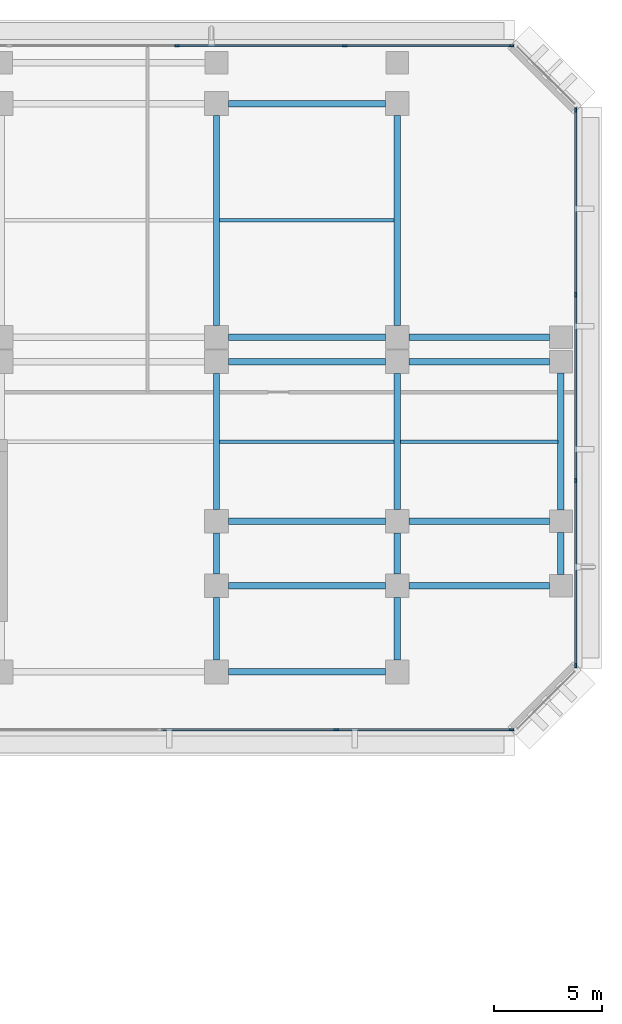
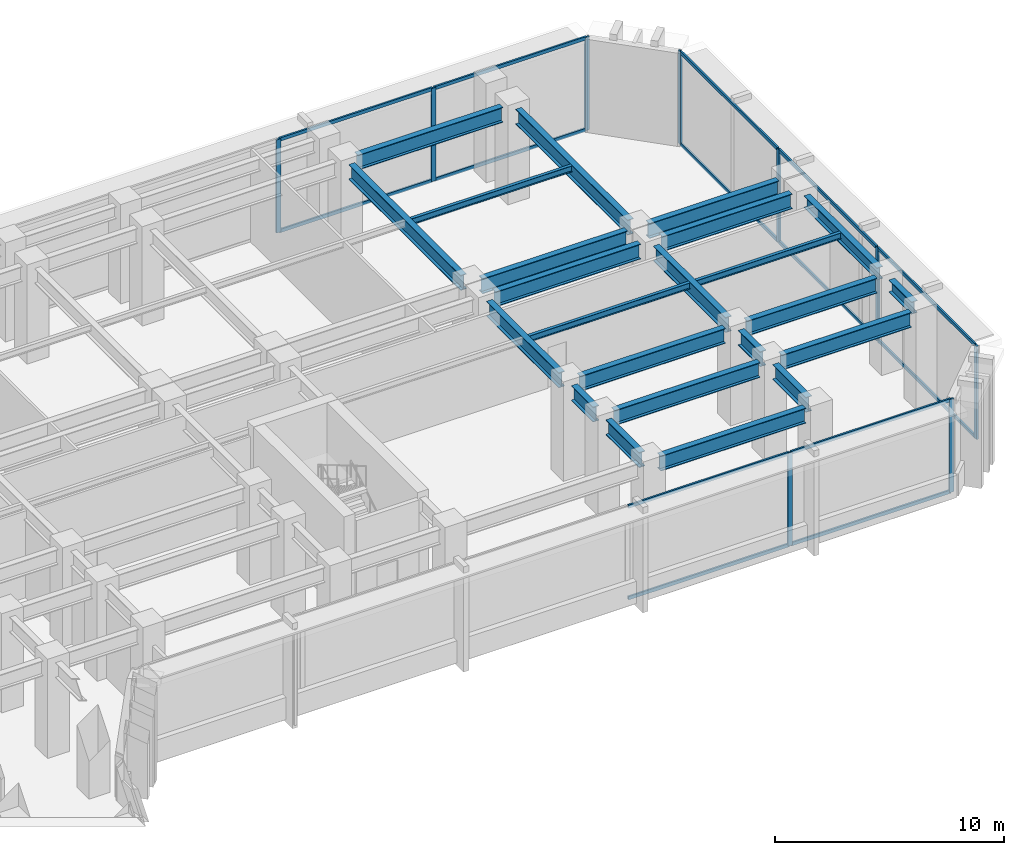
# One storey, part 7 of 20: 23 beams, 23 members, 3 elements without a shape of their own.
"""IFC4 building model written with IfcOpenShell, lengths in metres."""

from ifc_helpers import new_model, si_unit, direction, frame, origin, origin_2d, place, context, subcontext, project, spatial, rectangle, i_section, extrude, material, layer, layer_set, material_profile, profile_set, type_object, element, aggregate, save


model = new_model("IFC4")

# Units and contexts
model_context = context("Model", 3, precision=1e-05, world=origin(), true_north=direction((0.0, 1.0)))
body_context = subcontext(model_context, "Body", "Model", "MODEL_VIEW")
ifc_project = project(units=[si_unit("LENGTHUNIT", "METRE"), si_unit("AREAUNIT", "SQUARE_METRE"), si_unit("VOLUMEUNIT", "CUBIC_METRE"), si_unit("PLANEANGLEUNIT", "RADIAN"), si_unit("MASSUNIT", "GRAM", prefix="KILO")], contexts=[model_context])

# Site, building, storey
site_placement = place(None, origin())
site = spatial("IfcSite", under=ifc_project, at=site_placement, CompositionType="ELEMENT")
building_placement = place(site_placement, origin())
building = spatial("IfcBuilding", under=site, at=building_placement, Name="Kefirva Bronze Tower", CompositionType="ELEMENT")
storey_placement = place(building_placement, frame((0.0, 0.0, 5.93994140625)))
storey = spatial("IfcBuildingStorey", under=building, at=storey_placement, Name="L01", CompositionType="ELEMENT", Elevation=5.93994140625)

# Curtain wall, members
ifc_material_1 = material(Name="Bronze anodised aluminium", Category="aluminium")
ifc_layer = layer(ifc_material_1, 0.239990234375, Name="Bronze anodised aluminium")
ifc_layer_set = layer_set([ifc_layer], Name="Bronze anodised aluminium")
curtain_wall_type = type_object("IfcCurtainWallType", Name="Podium Double-Height Glazed Curtain Wall", PredefinedType="USERDEFINED", material=ifc_layer_set)
curtain_wall_1_placement = place(storey_placement, origin())
curtain_wall_1 = element("IfcCurtainWall", 1, at=curtain_wall_1_placement, inside=storey, type_object=curtain_wall_type, Name="L01 Curtain Wall 2", ObjectType="UNITISED CURTAIN WALL", PredefinedType="USERDEFINED")
ifc_material_profile_1 = material_profile(ifc_material_1, rectangle(XDim=0.090087890625, YDim=0.219970703125, at=origin_2d()), Name="ALU 90x220")
ifc_profile_set_1 = profile_set([ifc_material_profile_1], Name="Bronze anodised aluminium")
member_type_1 = type_object("IfcMemberType", Name="Bronze Mullion 90x220", PredefinedType="MULLION", material=ifc_profile_set_1)
member_1_placement = place(storey_placement, frame((70.76708984375, 16.1201171875, 0.0), z_axis=(0.0, 0.0, 1.0), x_axis=(0.0, 1.0, 0.0)))
member_1 = element("IfcMember", 2, at=member_1_placement, type_object=member_type_1, Name="CW-05 mullion 5", PredefinedType="MULLION", context=body_context, shape_type="SweptSolid", body=[
    extrude(rectangle(XDim=0.090087890625, YDim=0.219970703125, at=origin_2d()), origin(), (0.0, 0.0, 1.0), 4.9599609375),
])
member_2_placement = place(storey_placement, frame((78.89990234375, 16.1201171875, 0.0), z_axis=(0.0, 0.0, 1.0), x_axis=(0.0, 1.0, 0.0)))
member_2 = element("IfcMember", 3, at=member_2_placement, type_object=member_type_1, Name="CW-05 mullion 6", PredefinedType="MULLION", context=body_context, shape_type="SweptSolid", body=[
    extrude(rectangle(XDim=0.090087890625, YDim=0.219970703125, at=origin_2d()), origin(), (0.0, 0.0, 1.0), 4.9599609375),
])

curtain_wall_2_placement = place(storey_placement, origin())
curtain_wall_2 = element("IfcCurtainWall", 4, at=curtain_wall_2_placement, inside=storey, type_object=curtain_wall_type, Name="L01 Curtain Wall 3", ObjectType="UNITISED CURTAIN WALL", PredefinedType="USERDEFINED")
member_3_placement = place(storey_placement, frame((81.8798828125, 19.10009765625, 0.0), z_axis=(0.0, 0.0, 1.0), x_axis=(-1.0, 0.0, 0.0)))
member_3 = element("IfcMember", 5, at=member_3_placement, type_object=member_type_1, Name="CW-05 mullion 1", PredefinedType="MULLION", context=body_context, shape_type="SweptSolid", body=[
    extrude(rectangle(XDim=0.090087890625, YDim=0.219970703125, at=origin_2d()), origin(), (0.0, 0.0, 1.0), 4.9599609375),
])
member_4_placement = place(storey_placement, frame((81.8798828125, 27.68505859375, 0.0), z_axis=(0.0, 0.0, 1.0), x_axis=(-1.0, 0.0, 0.0)))
member_4 = element("IfcMember", 6, at=member_4_placement, type_object=member_type_1, Name="CW-05 mullion 2", PredefinedType="MULLION", context=body_context, shape_type="SweptSolid", body=[
    extrude(rectangle(XDim=0.090087890625, YDim=0.219970703125, at=origin_2d()), origin(), (0.0, 0.0, 1.0), 4.9599609375),
])
member_5_placement = place(storey_placement, frame((81.8798828125, 36.31494140625, 0.0), z_axis=(0.0, 0.0, 1.0), x_axis=(-1.0, 0.0, 0.0)))
member_5 = element("IfcMember", 7, at=member_5_placement, type_object=member_type_1, Name="CW-05 mullion 3", PredefinedType="MULLION", context=body_context, shape_type="SweptSolid", body=[
    extrude(rectangle(XDim=0.090087890625, YDim=0.219970703125, at=origin_2d()), origin(), (0.0, 0.0, 1.0), 4.9599609375),
])
member_6_placement = place(storey_placement, frame((81.8798828125, 44.89990234375, 0.0), z_axis=(0.0, 0.0, 1.0), x_axis=(-1.0, 0.0, 0.0)))
member_6 = element("IfcMember", 8, at=member_6_placement, type_object=member_type_1, Name="CW-05 mullion 4", PredefinedType="MULLION", context=body_context, shape_type="SweptSolid", body=[
    extrude(rectangle(XDim=0.090087890625, YDim=0.219970703125, at=origin_2d()), origin(), (0.0, 0.0, 1.0), 4.9599609375),
])

curtain_wall_3_placement = place(storey_placement, origin())
curtain_wall_3 = element("IfcCurtainWall", 9, at=curtain_wall_3_placement, inside=storey, type_object=curtain_wall_type, Name="L01 Curtain Wall 4", ObjectType="UNITISED CURTAIN WALL", PredefinedType="USERDEFINED")
member_7_placement = place(storey_placement, frame((78.89990234375, 47.8798828125, 0.0), z_axis=(0.0, 0.0, 1.0), x_axis=(0.0, -1.0, 0.0)))
member_7 = element("IfcMember", 10, at=member_7_placement, type_object=member_type_1, Name="CW-05 mullion 1", PredefinedType="MULLION", context=body_context, shape_type="SweptSolid", body=[
    extrude(rectangle(XDim=0.090087890625, YDim=0.219970703125, at=origin_2d()), origin(), (0.0, 0.0, 1.0), 4.9599609375),
])
member_8_placement = place(storey_placement, frame((71.156005859375, 47.8798828125, 0.0), z_axis=(0.0, 0.0, 1.0), x_axis=(0.0, -1.0, 0.0)))
member_8 = element("IfcMember", 11, at=member_8_placement, type_object=member_type_1, Name="CW-05 mullion 2", PredefinedType="MULLION", context=body_context, shape_type="SweptSolid", body=[
    extrude(rectangle(XDim=0.090087890625, YDim=0.219970703125, at=origin_2d()), origin(), (0.0, 0.0, 1.0), 4.9599609375),
])
member_9_placement = place(storey_placement, frame((63.366943359375, 47.8798828125, 0.0), z_axis=(0.0, 0.0, 1.0), x_axis=(0.0, -1.0, 0.0)))
member_9 = element("IfcMember", 12, at=member_9_placement, type_object=member_type_1, Name="CW-05 mullion 3", PredefinedType="MULLION", context=body_context, shape_type="SweptSolid", body=[
    extrude(rectangle(XDim=0.090087890625, YDim=0.219970703125, at=origin_2d()), origin(), (0.0, 0.0, 1.0), 4.9599609375),
])

# Member
ifc_material_profile_2 = material_profile(ifc_material_1, rectangle(XDim=0.090087890625, YDim=0.179931640625, at=origin_2d()), Name="ALU 90x180")
ifc_profile_set_2 = profile_set([ifc_material_profile_2], Name="Bronze anodised aluminium")
member_type_2 = type_object("IfcMemberType", Name="Bronze Transom 90x180", PredefinedType="USERDEFINED", material=ifc_profile_set_2)
member_10_placement = place(storey_placement, frame((62.634033203125, 16.1201171875, 0.045166015625), z_axis=(1.0, 0.0, 0.0), x_axis=(0.0, 1.0, 0.0)))
member_10 = element("IfcMember", 13, at=member_10_placement, type_object=member_type_2, Name="CW-05 transom 4.1", ObjectType="TRANSOM", PredefinedType="USERDEFINED", context=body_context, shape_type="SweptSolid", body=[
    extrude(rectangle(XDim=0.090087890625, YDim=0.179931640625, at=origin_2d()), origin(), (0.0, 0.0, 1.0), 8.087890625),
])

member_11_placement = place(storey_placement, frame((62.634033203125, 16.1201171875, 4.9150390625), z_axis=(1.0, 0.0, 0.0), x_axis=(0.0, 1.0, 0.0)))
member_11 = element("IfcMember", 14, at=member_11_placement, type_object=member_type_2, Name="CW-05 transom 4.2", ObjectType="TRANSOM", PredefinedType="USERDEFINED", context=body_context, shape_type="SweptSolid", body=[
    extrude(rectangle(XDim=0.090087890625, YDim=0.179931640625, at=origin_2d()), origin(), (0.0, 0.0, 1.0), 8.087890625),
])

member_12_placement = place(storey_placement, frame((70.81201171875, 16.1201171875, 0.045166015625), z_axis=(1.0, 0.0, 0.0), x_axis=(0.0, 1.0, 0.0)))
member_12 = element("IfcMember", 15, at=member_12_placement, type_object=member_type_2, Name="CW-05 transom 5.1", ObjectType="TRANSOM", PredefinedType="USERDEFINED", context=body_context, shape_type="SweptSolid", body=[
    extrude(rectangle(XDim=0.090087890625, YDim=0.179931640625, at=origin_2d()), origin(), (0.0, 0.0, 1.0), 8.04296875),
])

member_13_placement = place(storey_placement, frame((70.81201171875, 16.1201171875, 4.9150390625), z_axis=(1.0, 0.0, 0.0), x_axis=(0.0, 1.0, 0.0)))
member_13 = element("IfcMember", 16, at=member_13_placement, type_object=member_type_2, Name="CW-05 transom 5.2", ObjectType="TRANSOM", PredefinedType="USERDEFINED", context=body_context, shape_type="SweptSolid", body=[
    extrude(rectangle(XDim=0.090087890625, YDim=0.179931640625, at=origin_2d()), origin(), (0.0, 0.0, 1.0), 8.04296875),
])

aggregate(curtain_wall_1, [member_1, member_2, member_10, member_11, member_12, member_13])

member_14_placement = place(storey_placement, frame((81.8798828125, 19.14501953125, 0.045166015625), z_axis=(0.0, 1.0, 0.0), x_axis=(-1.0, 0.0, 0.0)))
member_14 = element("IfcMember", 17, at=member_14_placement, type_object=member_type_2, Name="CW-05 transom 1.1", ObjectType="TRANSOM", PredefinedType="USERDEFINED", context=body_context, shape_type="SweptSolid", body=[
    extrude(rectangle(XDim=0.090087890625, YDim=0.179931640625, at=origin_2d()), origin(), (0.0, 0.0, 1.0), 8.494873046875),
])

member_15_placement = place(storey_placement, frame((81.8798828125, 19.14501953125, 4.9150390625), z_axis=(0.0, 1.0, 0.0), x_axis=(-1.0, 0.0, 0.0)))
member_15 = element("IfcMember", 18, at=member_15_placement, type_object=member_type_2, Name="CW-05 transom 1.2", ObjectType="TRANSOM", PredefinedType="USERDEFINED", context=body_context, shape_type="SweptSolid", body=[
    extrude(rectangle(XDim=0.090087890625, YDim=0.179931640625, at=origin_2d()), origin(), (0.0, 0.0, 1.0), 8.494873046875),
])

member_16_placement = place(storey_placement, frame((81.8798828125, 27.72998046875, 0.045166015625), z_axis=(0.0, 1.0, 0.0), x_axis=(-1.0, 0.0, 0.0)))
member_16 = element("IfcMember", 19, at=member_16_placement, type_object=member_type_2, Name="CW-05 transom 2.1", ObjectType="TRANSOM", PredefinedType="USERDEFINED", context=body_context, shape_type="SweptSolid", body=[
    extrude(rectangle(XDim=0.090087890625, YDim=0.179931640625, at=origin_2d()), origin(), (0.0, 0.0, 1.0), 8.5400390625),
])

member_17_placement = place(storey_placement, frame((81.8798828125, 27.72998046875, 4.9150390625), z_axis=(0.0, 1.0, 0.0), x_axis=(-1.0, 0.0, 0.0)))
member_17 = element("IfcMember", 20, at=member_17_placement, type_object=member_type_2, Name="CW-05 transom 2.2", ObjectType="TRANSOM", PredefinedType="USERDEFINED", context=body_context, shape_type="SweptSolid", body=[
    extrude(rectangle(XDim=0.090087890625, YDim=0.179931640625, at=origin_2d()), origin(), (0.0, 0.0, 1.0), 8.5400390625),
])

member_18_placement = place(storey_placement, frame((81.8798828125, 36.360107421875, 0.045166015625), z_axis=(0.0, 1.0, 0.0), x_axis=(-1.0, 0.0, 0.0)))
member_18 = element("IfcMember", 21, at=member_18_placement, type_object=member_type_2, Name="CW-05 transom 3.1", ObjectType="TRANSOM", PredefinedType="USERDEFINED", context=body_context, shape_type="SweptSolid", body=[
    extrude(rectangle(XDim=0.090087890625, YDim=0.179931640625, at=origin_2d()), origin(), (0.0, 0.0, 1.0), 8.494873046875),
])

member_19_placement = place(storey_placement, frame((81.8798828125, 36.360107421875, 4.9150390625), z_axis=(0.0, 1.0, 0.0), x_axis=(-1.0, 0.0, 0.0)))
member_19 = element("IfcMember", 22, at=member_19_placement, type_object=member_type_2, Name="CW-05 transom 3.2", ObjectType="TRANSOM", PredefinedType="USERDEFINED", context=body_context, shape_type="SweptSolid", body=[
    extrude(rectangle(XDim=0.090087890625, YDim=0.179931640625, at=origin_2d()), origin(), (0.0, 0.0, 1.0), 8.494873046875),
])

aggregate(curtain_wall_2, [member_3, member_4, member_5, member_6, member_14, member_15, member_16, member_17, member_18, member_19])

member_20_placement = place(storey_placement, frame((78.85498046875, 47.8798828125, 0.045166015625), z_axis=(-1.0, 0.0, 0.0), x_axis=(0.0, -1.0, 0.0)))
member_20 = element("IfcMember", 23, at=member_20_placement, type_object=member_type_2, Name="CW-05 transom 1.1", ObjectType="TRANSOM", PredefinedType="USERDEFINED", context=body_context, shape_type="SweptSolid", body=[
    extrude(rectangle(XDim=0.090087890625, YDim=0.179931640625, at=origin_2d()), origin(), (0.0, 0.0, 1.0), 7.654052734375),
])

member_21_placement = place(storey_placement, frame((78.85498046875, 47.8798828125, 4.9150390625), z_axis=(-1.0, 0.0, 0.0), x_axis=(0.0, -1.0, 0.0)))
member_21 = element("IfcMember", 24, at=member_21_placement, type_object=member_type_2, Name="CW-05 transom 1.2", ObjectType="TRANSOM", PredefinedType="USERDEFINED", context=body_context, shape_type="SweptSolid", body=[
    extrude(rectangle(XDim=0.090087890625, YDim=0.179931640625, at=origin_2d()), origin(), (0.0, 0.0, 1.0), 7.654052734375),
])

member_22_placement = place(storey_placement, frame((71.111083984375, 47.8798828125, 0.045166015625), z_axis=(-1.0, 0.0, 0.0), x_axis=(0.0, -1.0, 0.0)))
member_22 = element("IfcMember", 25, at=member_22_placement, type_object=member_type_2, Name="CW-05 transom 2.1", ObjectType="TRANSOM", PredefinedType="USERDEFINED", context=body_context, shape_type="SweptSolid", body=[
    extrude(rectangle(XDim=0.090087890625, YDim=0.179931640625, at=origin_2d()), origin(), (0.0, 0.0, 1.0), 7.698974609375),
])

member_23_placement = place(storey_placement, frame((71.111083984375, 47.8798828125, 4.9150390625), z_axis=(-1.0, 0.0, 0.0), x_axis=(0.0, -1.0, 0.0)))
member_23 = element("IfcMember", 26, at=member_23_placement, type_object=member_type_2, Name="CW-05 transom 2.2", ObjectType="TRANSOM", PredefinedType="USERDEFINED", context=body_context, shape_type="SweptSolid", body=[
    extrude(rectangle(XDim=0.090087890625, YDim=0.179931640625, at=origin_2d()), origin(), (0.0, 0.0, 1.0), 7.698974609375),
])

aggregate(curtain_wall_3, [member_7, member_8, member_9, member_20, member_21, member_22, member_23])

# Beams
ifc_material_2 = material(Name="Steel S355", Category="steel")
ifc_material_profile_3 = material_profile(ifc_material_2, i_section(OverallWidth=0.159912109375, OverallDepth=0.330078125, WebThickness=0.007568359375, FlangeThickness=0.011474609375, at=origin_2d()), Name="IPE 330")
ifc_profile_set_3 = profile_set([ifc_material_profile_3], Name="Steel S355")
beam_type_1 = type_object("IfcBeamType", Name="Steel Floor Joist IPE 330", PredefinedType="JOIST", material=ifc_profile_set_3)
for number, where, z_axis, x_axis, name in (
    (27, (65.35009765625, 29.5, 4.795166015625), (1.0, 0.0, 0.0), (0.0, 1.0, 0.0), "L01 JST-L01-65-295"),
    (28, (65.35009765625, 39.77490234375, 4.795166015625), (1.0, 0.0, 0.0), (0.0, 1.0, 0.0), "L01 JST-L01-65-397"),
):
    element("IfcBeam", number, at=place(storey_placement, frame(where, z_axis=z_axis, x_axis=x_axis)), inside=storey, type_object=beam_type_1, Name=name, PredefinedType="JOIST", context=body_context, shape_type="SweptSolid", body=[
        extrude(i_section(OverallWidth=0.159912109375, OverallDepth=0.330078125, WebThickness=0.007568359375, FlangeThickness=0.011474609375, at=origin_2d()), origin(), (0.0, 0.0, 1.0), 8.099853515625),
    ])
beam_1_placement = place(storey_placement, frame((73.75, 29.5, 4.795166015625), z_axis=(1.0, 0.0, 0.0), x_axis=(0.0, 1.0, 0.0)))
element("IfcBeam", 29, at=beam_1_placement, inside=storey, type_object=beam_type_1, Name="L01 JST-L01-73-295", PredefinedType="JOIST", context=body_context, shape_type="SweptSolid", body=[
    extrude(i_section(OverallWidth=0.159912109375, OverallDepth=0.330078125, WebThickness=0.007568359375, FlangeThickness=0.011474609375, at=origin_2d()), origin(), (0.0, 0.0, 1.0), 7.300048828125),
])
ifc_material_profile_4 = material_profile(ifc_material_2, i_section(OverallWidth=0.300048828125, OverallDepth=0.800048828125, WebThickness=0.017578125, FlangeThickness=0.032958984375, at=origin_2d()), Name="HEB 800")
ifc_profile_set_4 = profile_set([ifc_material_profile_4], Name="Steel S355")
beam_type_2 = type_object("IfcBeamType", Name="Steel Girder HEB 800", PredefinedType="USERDEFINED", material=ifc_profile_set_4)
for number, where, z_axis, x_axis, name in (
    (30, (65.75, 18.800048828125, 4.56005859375), (1.0, 0.0, 0.0), (0.0, 1.0, 0.0), "L01 BM-L01-EW-65-188"),
    (31, (65.75, 22.800048828125, 4.56005859375), (1.0, 0.0, 0.0), (0.0, 1.0, 0.0), "L01 BM-L01-EW-65-228"),
):
    element("IfcBeam", number, at=place(storey_placement, frame(where, z_axis=z_axis, x_axis=x_axis)), inside=storey, type_object=beam_type_2, Name=name, ObjectType="GIRDER", PredefinedType="USERDEFINED", context=body_context, shape_type="SweptSolid", body=[
        extrude(i_section(OverallWidth=0.300048828125, OverallDepth=0.800048828125, WebThickness=0.017578125, FlangeThickness=0.032958984375, at=origin_2d()), origin(), (0.0, 0.0, 1.0), 7.300048828125),
    ])
beam_2_placement = place(storey_placement, frame((74.14990234375, 22.800048828125, 4.56005859375), z_axis=(1.0, 0.0, 0.0), x_axis=(0.0, 1.0, 0.0)))
element("IfcBeam", 32, at=beam_2_placement, inside=storey, type_object=beam_type_2, Name="L01 BM-L01-EW-73-228", ObjectType="GIRDER", PredefinedType="USERDEFINED", context=body_context, shape_type="SweptSolid", body=[
    extrude(i_section(OverallWidth=0.300048828125, OverallDepth=0.800048828125, WebThickness=0.017578125, FlangeThickness=0.032958984375, at=origin_2d()), origin(), (0.0, 0.0, 1.0), 6.525146484375),
])
beam_3_placement = place(storey_placement, frame((65.75, 25.800048828125, 4.56005859375), z_axis=(1.0, 0.0, 0.0), x_axis=(0.0, 1.0, 0.0)))
element("IfcBeam", 33, at=beam_3_placement, inside=storey, type_object=beam_type_2, Name="L01 BM-L01-EW-65-258", ObjectType="GIRDER", PredefinedType="USERDEFINED", context=body_context, shape_type="SweptSolid", body=[
    extrude(i_section(OverallWidth=0.300048828125, OverallDepth=0.800048828125, WebThickness=0.017578125, FlangeThickness=0.032958984375, at=origin_2d()), origin(), (0.0, 0.0, 1.0), 7.300048828125),
])
beam_4_placement = place(storey_placement, frame((74.14990234375, 25.800048828125, 4.56005859375), z_axis=(1.0, 0.0, 0.0), x_axis=(0.0, 1.0, 0.0)))
element("IfcBeam", 34, at=beam_4_placement, inside=storey, type_object=beam_type_2, Name="L01 BM-L01-EW-73-258", ObjectType="GIRDER", PredefinedType="USERDEFINED", context=body_context, shape_type="SweptSolid", body=[
    extrude(i_section(OverallWidth=0.300048828125, OverallDepth=0.800048828125, WebThickness=0.017578125, FlangeThickness=0.032958984375, at=origin_2d()), origin(), (0.0, 0.0, 1.0), 6.525146484375),
])
beam_5_placement = place(storey_placement, frame((65.75, 33.199951171875, 4.56005859375), z_axis=(1.0, 0.0, 0.0), x_axis=(0.0, 1.0, 0.0)))
element("IfcBeam", 35, at=beam_5_placement, inside=storey, type_object=beam_type_2, Name="L01 BM-L01-EW-65-332", ObjectType="GIRDER", PredefinedType="USERDEFINED", context=body_context, shape_type="SweptSolid", body=[
    extrude(i_section(OverallWidth=0.300048828125, OverallDepth=0.800048828125, WebThickness=0.017578125, FlangeThickness=0.032958984375, at=origin_2d()), origin(), (0.0, 0.0, 1.0), 7.300048828125),
])
beam_6_placement = place(storey_placement, frame((74.14990234375, 33.199951171875, 4.56005859375), z_axis=(1.0, 0.0, 0.0), x_axis=(0.0, 1.0, 0.0)))
element("IfcBeam", 36, at=beam_6_placement, inside=storey, type_object=beam_type_2, Name="L01 BM-L01-EW-73-332", ObjectType="GIRDER", PredefinedType="USERDEFINED", context=body_context, shape_type="SweptSolid", body=[
    extrude(i_section(OverallWidth=0.300048828125, OverallDepth=0.800048828125, WebThickness=0.017578125, FlangeThickness=0.032958984375, at=origin_2d()), origin(), (0.0, 0.0, 1.0), 6.525146484375),
])
beam_7_placement = place(storey_placement, frame((65.75, 34.35009765625, 4.56005859375), z_axis=(1.0, 0.0, 0.0), x_axis=(0.0, 1.0, 0.0)))
element("IfcBeam", 37, at=beam_7_placement, inside=storey, type_object=beam_type_2, Name="L01 BM-L01-EW-65-344", ObjectType="GIRDER", PredefinedType="USERDEFINED", context=body_context, shape_type="SweptSolid", body=[
    extrude(i_section(OverallWidth=0.300048828125, OverallDepth=0.800048828125, WebThickness=0.017578125, FlangeThickness=0.032958984375, at=origin_2d()), origin(), (0.0, 0.0, 1.0), 7.300048828125),
])
beam_8_placement = place(storey_placement, frame((74.14990234375, 34.35009765625, 4.56005859375), z_axis=(1.0, 0.0, 0.0), x_axis=(0.0, 1.0, 0.0)))
element("IfcBeam", 38, at=beam_8_placement, inside=storey, type_object=beam_type_2, Name="L01 BM-L01-EW-73-344", ObjectType="GIRDER", PredefinedType="USERDEFINED", context=body_context, shape_type="SweptSolid", body=[
    extrude(i_section(OverallWidth=0.300048828125, OverallDepth=0.800048828125, WebThickness=0.017578125, FlangeThickness=0.032958984375, at=origin_2d()), origin(), (0.0, 0.0, 1.0), 6.525146484375),
])
beam_9_placement = place(storey_placement, frame((65.75, 45.199951171875, 4.56005859375), z_axis=(1.0, 0.0, 0.0), x_axis=(0.0, 1.0, 0.0)))
element("IfcBeam", 39, at=beam_9_placement, inside=storey, type_object=beam_type_2, Name="L01 BM-L01-EW-65-452", ObjectType="GIRDER", PredefinedType="USERDEFINED", context=body_context, shape_type="SweptSolid", body=[
    extrude(i_section(OverallWidth=0.300048828125, OverallDepth=0.800048828125, WebThickness=0.017578125, FlangeThickness=0.032958984375, at=origin_2d()), origin(), (0.0, 0.0, 1.0), 7.300048828125),
])
beam_10_placement = place(storey_placement, frame((65.199951171875, 19.35009765625, 4.56005859375), z_axis=(0.0, 1.0, 0.0), x_axis=(-1.0, 0.0, 0.0)))
element("IfcBeam", 40, at=beam_10_placement, inside=storey, type_object=beam_type_2, Name="L01 BM-L01-NS-652-18", ObjectType="GIRDER", PredefinedType="USERDEFINED", context=body_context, shape_type="SweptSolid", body=[
    extrude(i_section(OverallWidth=0.300048828125, OverallDepth=0.800048828125, WebThickness=0.017578125, FlangeThickness=0.032958984375, at=origin_2d()), origin(), (0.0, 0.0, 1.0), 2.89990234375),
])
beam_11_placement = place(storey_placement, frame((65.199951171875, 23.35009765625, 4.56005859375), z_axis=(0.0, 1.0, 0.0), x_axis=(-1.0, 0.0, 0.0)))
element("IfcBeam", 41, at=beam_11_placement, inside=storey, type_object=beam_type_2, Name="L01 BM-L01-NS-652-22", ObjectType="GIRDER", PredefinedType="USERDEFINED", context=body_context, shape_type="SweptSolid", body=[
    extrude(i_section(OverallWidth=0.300048828125, OverallDepth=0.800048828125, WebThickness=0.017578125, FlangeThickness=0.032958984375, at=origin_2d()), origin(), (0.0, 0.0, 1.0), 1.89990234375),
])
beam_12_placement = place(storey_placement, frame((65.199951171875, 26.35009765625, 4.56005859375), z_axis=(0.0, 1.0, 0.0), x_axis=(-1.0, 0.0, 0.0)))
element("IfcBeam", 42, at=beam_12_placement, inside=storey, type_object=beam_type_2, Name="L01 BM-L01-NS-652-25", ObjectType="GIRDER", PredefinedType="USERDEFINED", context=body_context, shape_type="SweptSolid", body=[
    extrude(i_section(OverallWidth=0.300048828125, OverallDepth=0.800048828125, WebThickness=0.017578125, FlangeThickness=0.032958984375, at=origin_2d()), origin(), (0.0, 0.0, 1.0), 6.2998046875),
])
beam_13_placement = place(storey_placement, frame((65.199951171875, 34.89990234375, 4.56005859375), z_axis=(0.0, 1.0, 0.0), x_axis=(-1.0, 0.0, 0.0)))
element("IfcBeam", 43, at=beam_13_placement, inside=storey, type_object=beam_type_2, Name="L01 BM-L01-NS-652-34", ObjectType="GIRDER", PredefinedType="USERDEFINED", context=body_context, shape_type="SweptSolid", body=[
    extrude(i_section(OverallWidth=0.300048828125, OverallDepth=0.800048828125, WebThickness=0.017578125, FlangeThickness=0.032958984375, at=origin_2d()), origin(), (0.0, 0.0, 1.0), 9.75),
])
beam_14_placement = place(storey_placement, frame((73.60009765625, 19.35009765625, 4.56005859375), z_axis=(0.0, 1.0, 0.0), x_axis=(-1.0, 0.0, 0.0)))
element("IfcBeam", 44, at=beam_14_placement, inside=storey, type_object=beam_type_2, Name="L01 BM-L01-NS-736-18", ObjectType="GIRDER", PredefinedType="USERDEFINED", context=body_context, shape_type="SweptSolid", body=[
    extrude(i_section(OverallWidth=0.300048828125, OverallDepth=0.800048828125, WebThickness=0.017578125, FlangeThickness=0.032958984375, at=origin_2d()), origin(), (0.0, 0.0, 1.0), 2.89990234375),
])
beam_15_placement = place(storey_placement, frame((73.60009765625, 23.35009765625, 4.56005859375), z_axis=(0.0, 1.0, 0.0), x_axis=(-1.0, 0.0, 0.0)))
element("IfcBeam", 45, at=beam_15_placement, inside=storey, type_object=beam_type_2, Name="L01 BM-L01-NS-736-22", ObjectType="GIRDER", PredefinedType="USERDEFINED", context=body_context, shape_type="SweptSolid", body=[
    extrude(i_section(OverallWidth=0.300048828125, OverallDepth=0.800048828125, WebThickness=0.017578125, FlangeThickness=0.032958984375, at=origin_2d()), origin(), (0.0, 0.0, 1.0), 1.89990234375),
])
beam_16_placement = place(storey_placement, frame((73.60009765625, 26.35009765625, 4.56005859375), z_axis=(0.0, 1.0, 0.0), x_axis=(-1.0, 0.0, 0.0)))
element("IfcBeam", 46, at=beam_16_placement, inside=storey, type_object=beam_type_2, Name="L01 BM-L01-NS-736-25", ObjectType="GIRDER", PredefinedType="USERDEFINED", context=body_context, shape_type="SweptSolid", body=[
    extrude(i_section(OverallWidth=0.300048828125, OverallDepth=0.800048828125, WebThickness=0.017578125, FlangeThickness=0.032958984375, at=origin_2d()), origin(), (0.0, 0.0, 1.0), 6.2998046875),
])
beam_17_placement = place(storey_placement, frame((73.60009765625, 34.89990234375, 4.56005859375), z_axis=(0.0, 1.0, 0.0), x_axis=(-1.0, 0.0, 0.0)))
element("IfcBeam", 47, at=beam_17_placement, inside=storey, type_object=beam_type_2, Name="L01 BM-L01-NS-736-34", ObjectType="GIRDER", PredefinedType="USERDEFINED", context=body_context, shape_type="SweptSolid", body=[
    extrude(i_section(OverallWidth=0.300048828125, OverallDepth=0.800048828125, WebThickness=0.017578125, FlangeThickness=0.032958984375, at=origin_2d()), origin(), (0.0, 0.0, 1.0), 9.75),
])
ifc_material_profile_5 = material_profile(ifc_material_2, i_section(OverallWidth=0.300048828125, OverallDepth=0.64990234375, WebThickness=0.01611328125, FlangeThickness=0.031005859375, at=origin_2d()), Name="HEB 650")
ifc_profile_set_5 = profile_set([ifc_material_profile_5], Name="Steel S355")
beam_type_3 = type_object("IfcBeamType", Name="Steel Spandrel HEB 650 Ext", PredefinedType="SPANDREL", material=ifc_profile_set_5)
beam_18_placement = place(storey_placement, frame((81.199951171875, 23.324951171875, 4.635009765625), z_axis=(0.0, 1.0, 0.0), x_axis=(-1.0, 0.0, 0.0)))
element("IfcBeam", 48, at=beam_18_placement, inside=storey, type_object=beam_type_3, Name="L01 BM-L01-NS-812-22", PredefinedType="SPANDREL", context=body_context, shape_type="SweptSolid", body=[
    extrude(i_section(OverallWidth=0.300048828125, OverallDepth=0.64990234375, WebThickness=0.01611328125, FlangeThickness=0.031005859375, at=origin_2d()), origin(), (0.0, 0.0, 1.0), 1.949951171875),
])
beam_19_placement = place(storey_placement, frame((81.199951171875, 26.324951171875, 4.635009765625), z_axis=(0.0, 1.0, 0.0), x_axis=(-1.0, 0.0, 0.0)))
element("IfcBeam", 49, at=beam_19_placement, inside=storey, type_object=beam_type_3, Name="L01 BM-L01-NS-812-25", PredefinedType="SPANDREL", context=body_context, shape_type="SweptSolid", body=[
    extrude(i_section(OverallWidth=0.300048828125, OverallDepth=0.64990234375, WebThickness=0.01611328125, FlangeThickness=0.031005859375, at=origin_2d()), origin(), (0.0, 0.0, 1.0), 6.35009765625),
])

save(model, "model.ifc")
